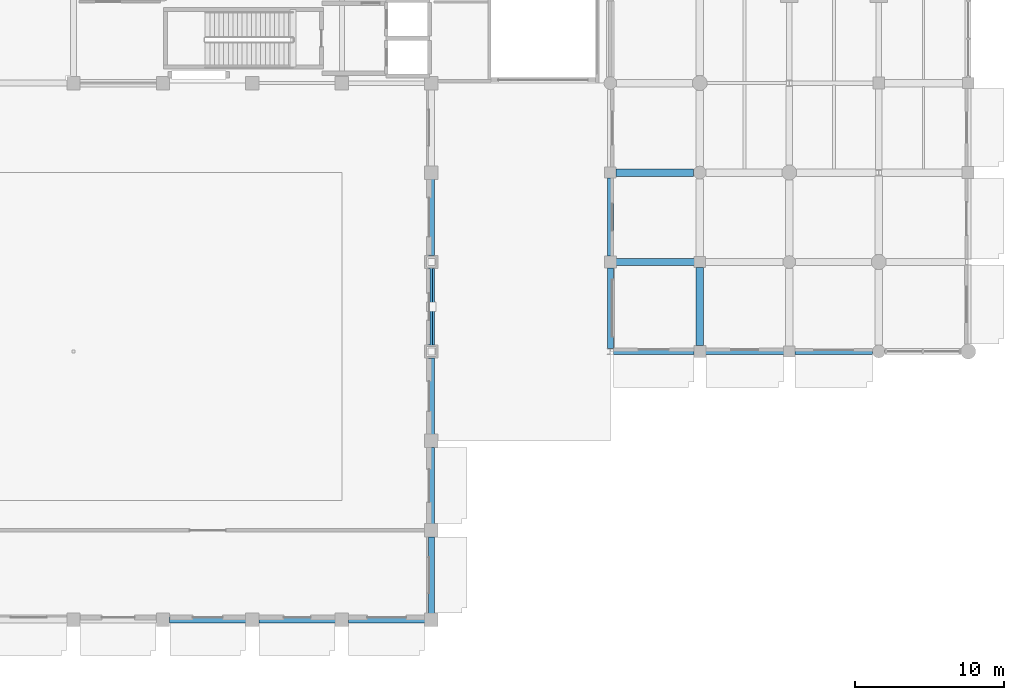
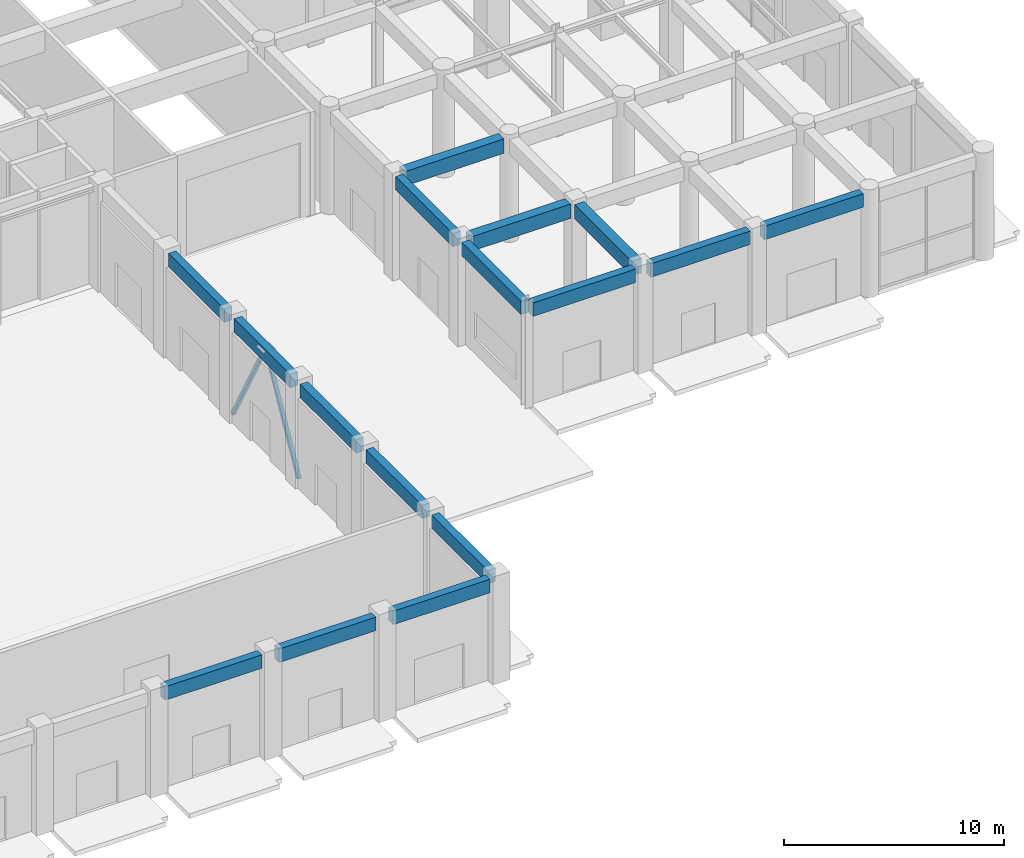
# One storey, part 52 of 106: 16 beams, 2 members.
"""IFC4 building model written with IfcOpenShell, lengths in metres."""

from ifc_helpers import new_model, si_unit, direction, frame, origin, origin_2d, place, context, subcontext, project, spatial, rectangle, hollow_rectangle, extrude, material, material_profile, profile_set, type_object, element, save


model = new_model("IFC4")

# Units and contexts
model_context = context("Model", 3, precision=1e-05, world=origin(), true_north=direction((0.0, 1.0)))
body_context = subcontext(model_context, "Body", "Model", "MODEL_VIEW")
ifc_project = project(units=[si_unit("LENGTHUNIT", "METRE"), si_unit("AREAUNIT", "SQUARE_METRE"), si_unit("VOLUMEUNIT", "CUBIC_METRE"), si_unit("PLANEANGLEUNIT", "RADIAN"), si_unit("MASSUNIT", "GRAM", prefix="KILO"), si_unit("THERMODYNAMICTEMPERATUREUNIT", "KELVIN"), si_unit("POWERUNIT", "WATT")], contexts=[model_context])

# Site, building, storey
site_placement = place(None, origin())
site = spatial("IfcSite", under=ifc_project, at=site_placement, CompositionType="ELEMENT")
building_placement = place(site_placement, origin())
building = spatial("IfcBuilding", under=site, at=building_placement, Name="Phaisarnlok Congress Hotel", CompositionType="ELEMENT")
storey_placement = place(building_placement, origin())
storey = spatial("IfcBuildingStorey", under=building, at=storey_placement, Name="L00", CompositionType="ELEMENT", Elevation=0.0)

# Beams
ifc_material_1 = material(Name="Concrete C40/50", Category="concrete")
ifc_material_profile_1 = material_profile(ifc_material_1, rectangle(XDim=0.5, YDim=0.800048828125, at=origin_2d()), Name="RC 500x800")
ifc_profile_set_1 = profile_set([ifc_material_profile_1], Name="Concrete C40/50")
beam_type_1 = type_object("IfcBeamType", Name="BM-RC-500x800", PredefinedType="BEAM", material=ifc_profile_set_1)
beam_1_placement = place(storey_placement, frame((156.39501953125, 24.0, 5.360107421875), z_axis=(1.0, 0.0, 0.0), x_axis=(0.0, 1.0, 0.0)))
element("IfcBeam", 1, at=beam_1_placement, inside=storey, type_object=beam_type_1, Name="Beam B-04", PredefinedType="BEAM", context=body_context, shape_type="SweptSolid", body=[
    extrude(rectangle(XDim=0.5, YDim=0.800048828125, at=origin_2d()), origin(), (0.0, 0.0, 1.0), 5.23486328125),
])
beam_2_placement = place(storey_placement, frame((156.3701171875, 30.0, 5.360107421875), z_axis=(1.0, 0.0, 0.0), x_axis=(0.0, 1.0, 0.0)))
element("IfcBeam", 2, at=beam_2_placement, inside=storey, type_object=beam_type_1, Name="Beam B-04", PredefinedType="BEAM", context=body_context, shape_type="SweptSolid", body=[
    extrude(rectangle(XDim=0.5, YDim=0.800048828125, at=origin_2d()), origin(), (0.0, 0.0, 1.0), 5.2099609375),
])
beam_3_placement = place(storey_placement, frame((162.0, 18.39501953125, 5.360107421875), z_axis=(0.0, 1.0, 0.0), x_axis=(-1.0, 0.0, 0.0)))
element("IfcBeam", 3, at=beam_3_placement, inside=storey, type_object=beam_type_1, Name="Beam B-04", PredefinedType="BEAM", context=body_context, shape_type="SweptSolid", body=[
    extrude(rectangle(XDim=0.5, YDim=0.800048828125, at=origin_2d()), origin(), (0.0, 0.0, 1.0), 5.23486328125),
])

# Members
ifc_material_2 = material(Name="Steel S355", Category="steel")
ifc_material_profile_2 = material_profile(ifc_material_2, hollow_rectangle(XDim=0.179931640625, YDim=0.179931640625, WallThickness=0.010009765625, at=origin_2d()), Name="SHS 180x180x10")
ifc_profile_set_2 = profile_set([ifc_material_profile_2], Name="Steel S355")
member_type = type_object("IfcMemberType", Name="MEM-BRC-SHS180", PredefinedType="BRACE", material=ifc_profile_set_2)
for number, where, z_axis, x_axis, name in (
    (4, (144.0, 18.0, 0.14990234375), (0.0, 0.480857843522, 0.876798571123), (-1.0, 0.0, 0.0), "Lateral braced frame diagonal"),
    (5, (144.0, 24.0, 0.14990234375), (0.0, -0.480857843522, 0.876798571123), (1.0, 0.0, 0.0), "Lateral braced frame diagonal"),
):
    element("IfcMember", number, at=place(storey_placement, frame(where, z_axis=z_axis, x_axis=x_axis)), inside=storey, type_object=member_type, Name=name, PredefinedType="BRACE", context=body_context, shape_type="SweptSolid", body=[
        extrude(hollow_rectangle(XDim=0.179931640625, YDim=0.179931640625, WallThickness=0.010009765625, at=origin_2d()), origin(), (0.0, 0.0, 1.0), 6.23876953125),
    ])

# Beams
ifc_material_profile_3 = material_profile(ifc_material_1, rectangle(XDim=0.39990234375, YDim=0.75, at=origin_2d()), Name="RC 400x750")
ifc_profile_set_3 = profile_set([ifc_material_profile_3], Name="Concrete C40/50")
beam_type_2 = type_object("IfcBeamType", Name="SP-RC-400x750", PredefinedType="SPANDREL", material=ifc_profile_set_3)
for number, where, z_axis, x_axis, name in (
    (6, (126.445068359375, 0.0, 5.364990234375), (1.0, 0.0, 0.0), (0.0, 1.0, 0.0), "Beam SP-02"),
    (7, (132.445068359375, 0.0, 5.364990234375), (1.0, 0.0, 0.0), (0.0, 1.0, 0.0), "Beam SP-02"),
    (8, (138.445068359375, 0.0, 5.364990234375), (1.0, 0.0, 0.0), (0.0, 1.0, 0.0), "Beam SP-02"),
    (9, (144.0, 0.445068359375, 5.364990234375), (0.0, 1.0, 0.0), (-1.0, 0.0, 0.0), "Beam SP-02"),
    (10, (144.0, 6.445068359375, 5.364990234375), (0.0, 1.0, 0.0), (-1.0, 0.0, 0.0), "Beam SP-02"),
    (11, (144.0, 12.445068359375, 5.364990234375), (0.0, 1.0, 0.0), (-1.0, 0.0, 0.0), "Beam SP-02"),
    (12, (144.0, 18.445068359375, 5.364990234375), (0.0, 1.0, 0.0), (-1.0, 0.0, 0.0), "Beam SP-02"),
    (13, (144.0, 24.445068359375, 5.364990234375), (0.0, 1.0, 0.0), (-1.0, 0.0, 0.0), "Beam SP-02"),
):
    element("IfcBeam", number, at=place(storey_placement, frame(where, z_axis=z_axis, x_axis=x_axis)), inside=storey, type_object=beam_type_2, Name=name, PredefinedType="SPANDREL", context=body_context, shape_type="SweptSolid", body=[
        extrude(rectangle(XDim=0.39990234375, YDim=0.75, at=origin_2d()), origin(), (0.0, 0.0, 1.0), 5.10986328125),
    ])
beam_4_placement = place(storey_placement, frame((156.195556640625, 18.0, 5.385009765625), z_axis=(1.0, 0.0, 0.0), x_axis=(0.0, 1.0, 0.0)))
element("IfcBeam", 14, at=beam_4_placement, inside=storey, type_object=beam_type_2, Name="Beam SP-02", PredefinedType="SPANDREL", context=body_context, shape_type="SweptSolid", body=[
    extrude(rectangle(XDim=0.39990234375, YDim=0.75, at=origin_2d()), origin(), (0.0, 0.0, 1.0), 5.409423828125),
])
beam_5_placement = place(storey_placement, frame((156.0, 18.194580078125, 5.385009765625), z_axis=(0.0, 1.0, 0.0), x_axis=(-1.0, 0.0, 0.0)))
element("IfcBeam", 15, at=beam_5_placement, inside=storey, type_object=beam_type_2, Name="Beam SP-02", PredefinedType="SPANDREL", context=body_context, shape_type="SweptSolid", body=[
    extrude(rectangle(XDim=0.39990234375, YDim=0.75, at=origin_2d()), origin(), (0.0, 0.0, 1.0), 5.410400390625),
])
for number, where, z_axis, x_axis, name in (
    (16, (156.0, 24.39501953125, 5.385009765625), (0.0, 1.0, 0.0), (-1.0, 0.0, 0.0), "Beam SP-02"),
    (17, (162.39501953125, 18.0, 5.385009765625), (1.0, 0.0, 0.0), (0.0, 1.0, 0.0), "Beam SP-02"),
):
    element("IfcBeam", number, at=place(storey_placement, frame(where, z_axis=z_axis, x_axis=x_axis)), inside=storey, type_object=beam_type_2, Name=name, PredefinedType="SPANDREL", context=body_context, shape_type="SweptSolid", body=[
        extrude(rectangle(XDim=0.39990234375, YDim=0.75, at=origin_2d()), origin(), (0.0, 0.0, 1.0), 5.23486328125),
    ])
beam_6_placement = place(storey_placement, frame((168.3701171875, 18.0, 5.385009765625), z_axis=(1.0, 0.0, 0.0), x_axis=(0.0, 1.0, 0.0)))
element("IfcBeam", 18, at=beam_6_placement, inside=storey, type_object=beam_type_2, Name="Beam SP-02", PredefinedType="SPANDREL", context=body_context, shape_type="SweptSolid", body=[
    extrude(rectangle(XDim=0.39990234375, YDim=0.75, at=origin_2d()), origin(), (0.0, 0.0, 1.0), 5.2099609375),
])

save(model, "model.ifc")
